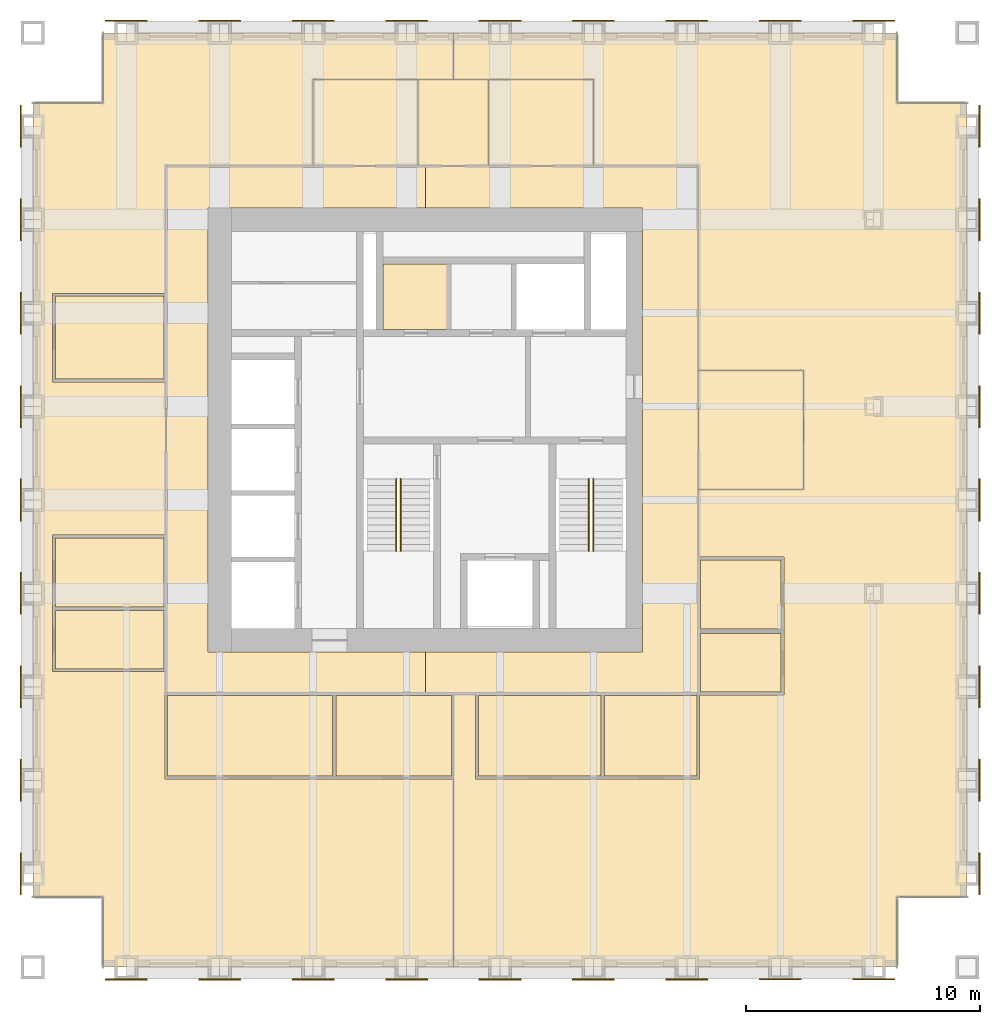
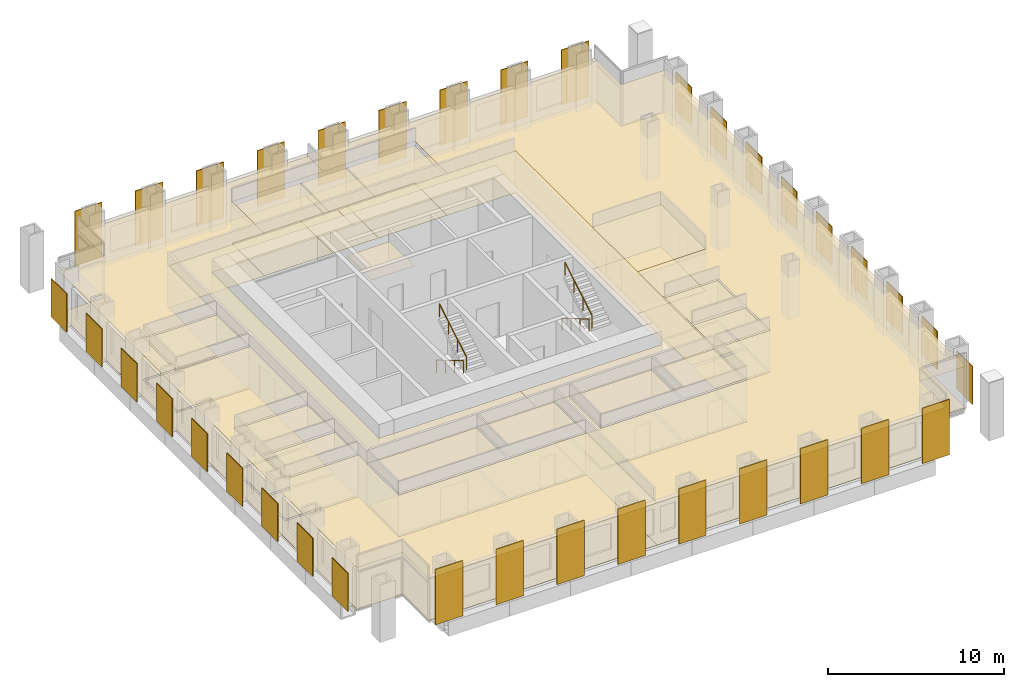
# One storey, part 12 of 12: 36 shading devices, 33 coverings, 4 railings.
"""IFC4 building model written with IfcOpenShell, lengths in metres."""

from ifc_helpers import new_model, si_unit, direction, frame, origin, origin_2d, place, context, subcontext, project, spatial, polyline, rectangle, circle, outline, extrude, material, layer, layer_set, type_object, element, save


model = new_model("IFC4")

# Units and contexts
model_context = context("Model", 3, precision=1e-05, world=origin(), true_north=direction((0.0, 1.0)))
body_context = subcontext(model_context, "Body", "Model", "MODEL_VIEW")
ifc_project = project(units=[si_unit("LENGTHUNIT", "METRE"), si_unit("AREAUNIT", "SQUARE_METRE"), si_unit("VOLUMEUNIT", "CUBIC_METRE"), si_unit("PLANEANGLEUNIT", "RADIAN"), si_unit("MASSUNIT", "GRAM", prefix="KILO")], contexts=[model_context])

# Site, building, storey
site_placement = place(None, origin())
site = spatial("IfcSite", under=ifc_project, at=site_placement, CompositionType="ELEMENT")
building_placement = place(site_placement, origin())
building = spatial("IfcBuilding", under=site, at=building_placement, Name="Rimbunsela Tower", CompositionType="ELEMENT")
storey_placement = place(building_placement, frame((0.0, 0.0, 266.199951171875)))
storey = spatial("IfcBuildingStorey", under=building, at=storey_placement, Name="L64", CompositionType="ELEMENT", Elevation=266.199951171875)

# Coverings
ifc_material_1 = material(Name="Nylon carpet tile", Category="textile")
ifc_layer_1 = layer(ifc_material_1, 0.010009765625)
ifc_layer_set_1 = layer_set([ifc_layer_1], Name="Carpet tile 10")
covering_type_1 = type_object("IfcCoveringType", Name="Carpet tile 10", PredefinedType="FLOORING", material=ifc_layer_set_1)
covering_1_placement = place(storey_placement, origin())
element("IfcCovering", 1, at=covering_1_placement, inside=storey, type_object=covering_type_1, Name="Floor finish Open office", PredefinedType="FLOORING", context=body_context, shape_type="SweptSolid", body=[
    extrude(outline(polyline([(22.949951171875, 12.050048828125), (27.9990234375, 12.050048828125), (27.9990234375, 4.0), (15.699951171875, 4.0), (13.0, 4.0), (13.0, 7.0), (10.0, 7.0), (10.0, 41.0), (13.0, 41.0), (13.0, 44.0), (15.699951171875, 44.0), (27.9990234375, 44.0), (27.9990234375, 42.0), (22.0, 42.0), (22.0, 38.300048828125), (15.699951171875, 38.300048828125), (15.699951171875, 32.85009765625), (10.85009765625, 32.85009765625), (10.85009765625, 29.050048828125), (15.699951171875, 29.050048828125), (15.699951171875, 22.5), (10.85009765625, 22.5), (10.85009765625, 19.39990234375), (10.85009765625, 19.300048828125), (10.85009765625, 16.64990234375), (15.699951171875, 16.64990234375), (15.699951171875, 15.75), (15.64990234375, 15.75), (15.64990234375, 12.050048828125), (15.699951171875, 12.050048828125), (22.85009765625, 12.050048828125), (22.949951171875, 12.050048828125)])), origin(), (0.0, 0.0, 1.0), 0.010009765625),
])
covering_2_placement = place(storey_placement, origin())
element("IfcCovering", 2, at=covering_2_placement, inside=storey, type_object=covering_type_1, Name="Floor finish Open office", PredefinedType="FLOORING", context=body_context, shape_type="SweptSolid", body=[
    extrude(outline(polyline([(28.0009765625, 15.699951171875), (28.948974609375, 15.699951171875), (28.948974609375, 12.050048828125), (34.34912109375, 12.050048828125), (34.448974609375, 12.050048828125), (38.5, 12.050048828125), (38.550048828125, 12.050048828125), (38.550048828125, 15.64990234375), (42.14990234375, 15.64990234375), (42.14990234375, 18.35009765625), (42.14990234375, 18.39990234375), (42.14990234375, 21.550048828125), (38.5, 21.550048828125), (38.5, 24.449951171875), (43.0, 24.449951171875), (43.0, 29.550048828125), (38.5, 29.550048828125), (38.5, 38.300048828125), (34.0, 38.300048828125), (34.0, 42.0), (28.0009765625, 42.0), (28.0009765625, 44.0), (38.5, 44.0), (47.0, 44.0), (47.0, 41.0), (50.0, 41.0), (50.0, 7.0), (47.0, 7.0), (47.0, 4.0), (38.5, 4.0), (28.0009765625, 4.0), (28.0009765625, 15.699951171875)])), origin(), (0.0, 0.0, 1.0), 0.010009765625),
])
covering_3_placement = place(storey_placement, origin())
element("IfcCovering", 3, at=covering_3_placement, inside=storey, type_object=covering_type_1, Name="Floor finish Reception", PredefinedType="FLOORING", context=body_context, shape_type="SweptSolid", body=[
    extrude(outline(polyline([(43.0, 24.449951171875), (43.0, 29.550048828125), (38.5, 29.550048828125), (38.5, 24.449951171875), (43.0, 24.449951171875)])), origin(), (0.0, 0.0, 1.0), 0.010009765625),
])
covering_4_placement = place(storey_placement, origin())
element("IfcCovering", 4, at=covering_4_placement, inside=storey, type_object=covering_type_1, Name="Floor finish Boardroom", PredefinedType="FLOORING", context=body_context, shape_type="SweptSolid", body=[
    extrude(outline(polyline([(22.824951171875, 12.175048828125), (22.824951171875, 15.625), (15.77490234375, 15.625), (15.77490234375, 12.175048828125), (22.824951171875, 12.175048828125)])), origin(), (0.0, 0.0, 1.0), 0.010009765625),
])
covering_5_placement = place(storey_placement, origin())
element("IfcCovering", 5, at=covering_5_placement, inside=storey, type_object=covering_type_1, Name="Floor finish Pantry", PredefinedType="FLOORING", context=body_context, shape_type="SweptSolid", body=[
    extrude(outline(polyline([(27.924072265625, 12.175048828125), (27.924072265625, 15.625), (22.97509765625, 15.625), (22.97509765625, 12.175048828125), (27.924072265625, 12.175048828125)])), origin(), (0.0, 0.0, 1.0), 0.010009765625),
])
covering_6_placement = place(storey_placement, origin())
element("IfcCovering", 6, at=covering_6_placement, inside=storey, type_object=covering_type_1, Name="Floor finish Print and copy room", PredefinedType="FLOORING", context=body_context, shape_type="SweptSolid", body=[
    extrude(outline(polyline([(15.625, 16.77490234375), (15.625, 19.27490234375), (10.97509765625, 19.27490234375), (10.97509765625, 16.77490234375), (15.625, 16.77490234375)])), origin(), (0.0, 0.0, 1.0), 0.010009765625),
])
covering_7_placement = place(storey_placement, origin())
element("IfcCovering", 7, at=covering_7_placement, inside=storey, type_object=covering_type_1, Name="Floor finish Office", PredefinedType="FLOORING", context=body_context, shape_type="SweptSolid", body=[
    extrude(outline(polyline([(15.625, 19.425048828125), (15.625, 22.375), (10.97509765625, 22.375), (10.97509765625, 19.425048828125), (15.625, 19.425048828125)])), origin(), (0.0, 0.0, 1.0), 0.010009765625),
])
covering_8_placement = place(storey_placement, origin())
element("IfcCovering", 8, at=covering_8_placement, inside=storey, type_object=covering_type_1, Name="Floor finish Meeting room", PredefinedType="FLOORING", context=body_context, shape_type="SweptSolid", body=[
    extrude(outline(polyline([(15.625, 29.175048828125), (15.625, 32.72509765625), (10.97509765625, 32.72509765625), (10.97509765625, 29.175048828125), (15.625, 29.175048828125)])), origin(), (0.0, 0.0, 1.0), 0.010009765625),
])
covering_9_placement = place(storey_placement, origin())
element("IfcCovering", 9, at=covering_9_placement, inside=storey, type_object=covering_type_1, Name="Floor finish Meeting room", PredefinedType="FLOORING", context=body_context, shape_type="SweptSolid", body=[
    extrude(outline(polyline([(34.323974609375, 12.175048828125), (34.323974609375, 15.625), (29.073974609375, 15.625), (29.073974609375, 12.175048828125), (34.323974609375, 12.175048828125)])), origin(), (0.0, 0.0, 1.0), 0.010009765625),
])
covering_10_placement = place(storey_placement, origin())
element("IfcCovering", 10, at=covering_10_placement, inside=storey, type_object=covering_type_1, Name="Floor finish Pantry", PredefinedType="FLOORING", context=body_context, shape_type="SweptSolid", body=[
    extrude(outline(polyline([(38.425048828125, 12.175048828125), (38.425048828125, 15.625), (34.47412109375, 15.625), (34.47412109375, 12.175048828125), (38.425048828125, 12.175048828125)])), origin(), (0.0, 0.0, 1.0), 0.010009765625),
])
covering_11_placement = place(storey_placement, origin())
element("IfcCovering", 11, at=covering_11_placement, inside=storey, type_object=covering_type_1, Name="Floor finish Print and copy room", PredefinedType="FLOORING", context=body_context, shape_type="SweptSolid", body=[
    extrude(outline(polyline([(42.02490234375, 15.77490234375), (42.02490234375, 18.27490234375), (38.574951171875, 18.27490234375), (38.574951171875, 15.77490234375), (42.02490234375, 15.77490234375)])), origin(), (0.0, 0.0, 1.0), 0.010009765625),
])
covering_12_placement = place(storey_placement, origin())
element("IfcCovering", 12, at=covering_12_placement, inside=storey, type_object=covering_type_1, Name="Floor finish Office", PredefinedType="FLOORING", context=body_context, shape_type="SweptSolid", body=[
    extrude(outline(polyline([(42.02490234375, 18.47509765625), (42.02490234375, 21.425048828125), (38.574951171875, 21.425048828125), (38.574951171875, 18.47509765625), (42.02490234375, 18.47509765625)])), origin(), (0.0, 0.0, 1.0), 0.010009765625),
])
ifc_material_2 = material(Name="Mineral fibre ceiling tile", Category="gypsum")
ifc_layer_2 = layer(ifc_material_2, 0.02001953125)
ifc_layer_set_2 = layer_set([ifc_layer_2], Name="Ceiling 600 grid")
covering_type_2 = type_object("IfcCoveringType", Name="Ceiling 600 grid", PredefinedType="CEILING", material=ifc_layer_set_2)
covering_13_placement = place(storey_placement, frame((0.0, 0.0, 2.900146484375)))
element("IfcCovering", 13, at=covering_13_placement, inside=storey, type_object=covering_type_2, Name="Ceiling IT room", PredefinedType="CEILING", context=body_context, shape_type="SweptSolid", body=[
    extrude(outline(polyline([(27.800048828125, 31.300048828125), (27.800048828125, 34.10009765625), (25.0, 34.10009765625), (25.0, 31.300048828125), (27.800048828125, 31.300048828125)])), origin(), (0.0, 0.0, 1.0), 0.02001953125),
])
covering_14_placement = place(storey_placement, frame((0.0, 0.0, 2.900146484375)))
element("IfcCovering", 14, at=covering_14_placement, inside=storey, type_object=covering_type_2, Name="Ceiling Ring corridor", PredefinedType="CEILING", context=body_context, shape_type="SweptSolid", body=[
    extrude(outline(polyline([(15.699951171875, 38.300048828125), (26.800048828125, 38.300048828125), (26.800048828125, 36.5), (17.5, 36.5), (17.5, 17.5), (26.800048828125, 17.5), (26.800048828125, 15.699951171875), (15.699951171875, 15.699951171875), (15.699951171875, 38.300048828125)])), origin(), (0.0, 0.0, 1.0), 0.02001953125),
])
covering_15_placement = place(storey_placement, frame((0.0, 0.0, 2.900146484375)))
element("IfcCovering", 15, at=covering_15_placement, inside=storey, type_object=covering_type_2, Name="Ceiling Ring corridor", PredefinedType="CEILING", context=body_context, shape_type="SweptSolid", body=[
    extrude(outline(polyline([(38.5, 38.300048828125), (38.5, 15.699951171875), (26.800048828125, 15.699951171875), (26.800048828125, 17.5), (36.10009765625, 17.5), (36.10009765625, 36.5), (26.800048828125, 36.5), (26.800048828125, 38.300048828125), (38.5, 38.300048828125)])), origin(), (0.0, 0.0, 1.0), 0.02001953125),
])
covering_16_placement = place(storey_placement, frame((0.0, 0.0, 2.900146484375)))
element("IfcCovering", 16, at=covering_16_placement, inside=storey, type_object=covering_type_2, Name="Ceiling Open office", PredefinedType="CEILING", context=body_context, shape_type="SweptSolid", body=[
    extrude(outline(polyline([(22.949951171875, 12.050048828125), (27.9990234375, 12.050048828125), (27.9990234375, 4.0), (15.699951171875, 4.0), (13.0, 4.0), (13.0, 7.0), (10.0, 7.0), (10.0, 41.0), (13.0, 41.0), (13.0, 44.0), (15.699951171875, 44.0), (27.9990234375, 44.0), (27.9990234375, 42.0), (22.0, 42.0), (22.0, 38.300048828125), (15.699951171875, 38.300048828125), (15.699951171875, 32.85009765625), (10.85009765625, 32.85009765625), (10.85009765625, 29.050048828125), (15.699951171875, 29.050048828125), (15.699951171875, 22.5), (10.85009765625, 22.5), (10.85009765625, 19.39990234375), (10.85009765625, 19.300048828125), (10.85009765625, 16.64990234375), (15.699951171875, 16.64990234375), (15.699951171875, 15.75), (15.64990234375, 15.75), (15.64990234375, 12.050048828125), (15.699951171875, 12.050048828125), (22.85009765625, 12.050048828125), (22.949951171875, 12.050048828125)])), origin(), (0.0, 0.0, 1.0), 0.02001953125),
])
covering_17_placement = place(storey_placement, frame((0.0, 0.0, 2.900146484375)))
element("IfcCovering", 17, at=covering_17_placement, inside=storey, type_object=covering_type_2, Name="Ceiling Open office", PredefinedType="CEILING", context=body_context, shape_type="SweptSolid", body=[
    extrude(outline(polyline([(28.0009765625, 15.699951171875), (28.948974609375, 15.699951171875), (28.948974609375, 12.050048828125), (34.34912109375, 12.050048828125), (34.448974609375, 12.050048828125), (38.5, 12.050048828125), (38.550048828125, 12.050048828125), (38.550048828125, 15.64990234375), (42.14990234375, 15.64990234375), (42.14990234375, 18.35009765625), (42.14990234375, 18.39990234375), (42.14990234375, 21.550048828125), (38.5, 21.550048828125), (38.5, 24.449951171875), (43.0, 24.449951171875), (43.0, 29.550048828125), (38.5, 29.550048828125), (38.5, 38.300048828125), (34.0, 38.300048828125), (34.0, 42.0), (28.0009765625, 42.0), (28.0009765625, 44.0), (38.5, 44.0), (47.0, 44.0), (47.0, 41.0), (50.0, 41.0), (50.0, 7.0), (47.0, 7.0), (47.0, 4.0), (38.5, 4.0), (28.0009765625, 4.0), (28.0009765625, 15.699951171875)])), origin(), (0.0, 0.0, 1.0), 0.02001953125),
])
covering_18_placement = place(storey_placement, frame((0.0, 0.0, 2.900146484375)))
element("IfcCovering", 18, at=covering_18_placement, inside=storey, type_object=covering_type_2, Name="Ceiling Reception", PredefinedType="CEILING", context=body_context, shape_type="SweptSolid", body=[
    extrude(outline(polyline([(43.0, 24.449951171875), (43.0, 29.550048828125), (38.5, 29.550048828125), (38.5, 24.449951171875), (43.0, 24.449951171875)])), origin(), (0.0, 0.0, 1.0), 0.02001953125),
])
covering_19_placement = place(storey_placement, frame((0.0, 0.0, 2.900146484375)))
element("IfcCovering", 19, at=covering_19_placement, inside=storey, type_object=covering_type_2, Name="Ceiling Boardroom", PredefinedType="CEILING", context=body_context, shape_type="SweptSolid", body=[
    extrude(outline(polyline([(22.824951171875, 12.175048828125), (22.824951171875, 15.625), (15.77490234375, 15.625), (15.77490234375, 12.175048828125), (22.824951171875, 12.175048828125)])), origin(), (0.0, 0.0, 1.0), 0.02001953125),
])
covering_20_placement = place(storey_placement, frame((0.0, 0.0, 2.900146484375)))
element("IfcCovering", 20, at=covering_20_placement, inside=storey, type_object=covering_type_2, Name="Ceiling Pantry", PredefinedType="CEILING", context=body_context, shape_type="SweptSolid", body=[
    extrude(outline(polyline([(27.924072265625, 12.175048828125), (27.924072265625, 15.625), (22.97509765625, 15.625), (22.97509765625, 12.175048828125), (27.924072265625, 12.175048828125)])), origin(), (0.0, 0.0, 1.0), 0.02001953125),
])
covering_21_placement = place(storey_placement, frame((0.0, 0.0, 2.900146484375)))
element("IfcCovering", 21, at=covering_21_placement, inside=storey, type_object=covering_type_2, Name="Ceiling Print and copy room", PredefinedType="CEILING", context=body_context, shape_type="SweptSolid", body=[
    extrude(outline(polyline([(15.625, 16.77490234375), (15.625, 19.27490234375), (10.97509765625, 19.27490234375), (10.97509765625, 16.77490234375), (15.625, 16.77490234375)])), origin(), (0.0, 0.0, 1.0), 0.02001953125),
])
covering_22_placement = place(storey_placement, frame((0.0, 0.0, 2.900146484375)))
element("IfcCovering", 22, at=covering_22_placement, inside=storey, type_object=covering_type_2, Name="Ceiling Office", PredefinedType="CEILING", context=body_context, shape_type="SweptSolid", body=[
    extrude(outline(polyline([(15.625, 19.425048828125), (15.625, 22.375), (10.97509765625, 22.375), (10.97509765625, 19.425048828125), (15.625, 19.425048828125)])), origin(), (0.0, 0.0, 1.0), 0.02001953125),
])
covering_23_placement = place(storey_placement, frame((0.0, 0.0, 2.900146484375)))
element("IfcCovering", 23, at=covering_23_placement, inside=storey, type_object=covering_type_2, Name="Ceiling Meeting room", PredefinedType="CEILING", context=body_context, shape_type="SweptSolid", body=[
    extrude(outline(polyline([(15.625, 29.175048828125), (15.625, 32.72509765625), (10.97509765625, 32.72509765625), (10.97509765625, 29.175048828125), (15.625, 29.175048828125)])), origin(), (0.0, 0.0, 1.0), 0.02001953125),
])
covering_24_placement = place(storey_placement, frame((0.0, 0.0, 2.900146484375)))
element("IfcCovering", 24, at=covering_24_placement, inside=storey, type_object=covering_type_2, Name="Ceiling Meeting room", PredefinedType="CEILING", context=body_context, shape_type="SweptSolid", body=[
    extrude(outline(polyline([(34.323974609375, 12.175048828125), (34.323974609375, 15.625), (29.073974609375, 15.625), (29.073974609375, 12.175048828125), (34.323974609375, 12.175048828125)])), origin(), (0.0, 0.0, 1.0), 0.02001953125),
])
covering_25_placement = place(storey_placement, frame((0.0, 0.0, 2.900146484375)))
element("IfcCovering", 25, at=covering_25_placement, inside=storey, type_object=covering_type_2, Name="Ceiling Pantry", PredefinedType="CEILING", context=body_context, shape_type="SweptSolid", body=[
    extrude(outline(polyline([(38.425048828125, 12.175048828125), (38.425048828125, 15.625), (34.47412109375, 15.625), (34.47412109375, 12.175048828125), (38.425048828125, 12.175048828125)])), origin(), (0.0, 0.0, 1.0), 0.02001953125),
])
covering_26_placement = place(storey_placement, frame((0.0, 0.0, 2.900146484375)))
element("IfcCovering", 26, at=covering_26_placement, inside=storey, type_object=covering_type_2, Name="Ceiling Print and copy room", PredefinedType="CEILING", context=body_context, shape_type="SweptSolid", body=[
    extrude(outline(polyline([(42.02490234375, 15.77490234375), (42.02490234375, 18.27490234375), (38.574951171875, 18.27490234375), (38.574951171875, 15.77490234375), (42.02490234375, 15.77490234375)])), origin(), (0.0, 0.0, 1.0), 0.02001953125),
])
covering_27_placement = place(storey_placement, frame((0.0, 0.0, 2.900146484375)))
element("IfcCovering", 27, at=covering_27_placement, inside=storey, type_object=covering_type_2, Name="Ceiling Office", PredefinedType="CEILING", context=body_context, shape_type="SweptSolid", body=[
    extrude(outline(polyline([(42.02490234375, 18.47509765625), (42.02490234375, 21.425048828125), (38.574951171875, 21.425048828125), (38.574951171875, 18.47509765625), (42.02490234375, 18.47509765625)])), origin(), (0.0, 0.0, 1.0), 0.02001953125),
])
ifc_material_3 = material(Name="Moisture-resistant plasterboard ceiling", Category="gypsum")
ifc_layer_3 = layer(ifc_material_3, 0.012451171875)
ifc_layer_set_3 = layer_set([ifc_layer_3], Name="Ceiling moisture-resistant board")
covering_type_3 = type_object("IfcCoveringType", Name="Ceiling moisture-resistant board", PredefinedType="CEILING", material=ifc_layer_set_3)
covering_28_placement = place(storey_placement, frame((0.0, 0.0, 2.60009765625)))
element("IfcCovering", 28, at=covering_28_placement, inside=storey, type_object=covering_type_3, Name="Ceiling Female WC", PredefinedType="CEILING", context=body_context, shape_type="SweptSolid", body=[
    extrude(outline(polyline([(26.5, 38.300048828125), (26.5, 42.0), (22.0, 42.0), (22.0, 38.300048828125), (26.5, 38.300048828125)])), origin(), (0.0, 0.0, 1.0), 0.02001953125),
])
covering_29_placement = place(storey_placement, frame((0.0, 0.0, 2.60009765625)))
element("IfcCovering", 29, at=covering_29_placement, inside=storey, type_object=covering_type_3, Name="Ceiling Accessible WC", PredefinedType="CEILING", context=body_context, shape_type="SweptSolid", body=[
    extrude(outline(polyline([(29.5, 38.300048828125), (29.5, 42.0), (26.5, 42.0), (26.5, 38.300048828125), (29.5, 38.300048828125)])), origin(), (0.0, 0.0, 1.0), 0.02001953125),
])
covering_30_placement = place(storey_placement, frame((0.0, 0.0, 2.60009765625)))
element("IfcCovering", 30, at=covering_30_placement, inside=storey, type_object=covering_type_3, Name="Ceiling Male WC", PredefinedType="CEILING", context=body_context, shape_type="SweptSolid", body=[
    extrude(outline(polyline([(34.0, 38.300048828125), (34.0, 42.0), (29.5, 42.0), (29.5, 38.300048828125), (34.0, 38.300048828125)])), origin(), (0.0, 0.0, 1.0), 0.02001953125),
])
ifc_material_4 = material(Name="Porcelain floor tile in adhesive bed", Category="ceramic")
ifc_layer_4 = layer(ifc_material_4, 0.02001953125)
ifc_layer_set_4 = layer_set([ifc_layer_4], Name="Porcelain tile 20")
covering_type_4 = type_object("IfcCoveringType", Name="Porcelain tile 20", PredefinedType="FLOORING", material=ifc_layer_set_4)
covering_31_placement = place(storey_placement, origin())
element("IfcCovering", 31, at=covering_31_placement, inside=storey, type_object=covering_type_4, Name="Floor finish Female WC", PredefinedType="FLOORING", context=body_context, shape_type="SweptSolid", body=[
    extrude(outline(polyline([(26.5, 38.300048828125), (26.5, 42.0), (22.0, 42.0), (22.0, 38.300048828125), (26.5, 38.300048828125)])), origin(), (0.0, 0.0, 1.0), 0.02001953125),
])
covering_32_placement = place(storey_placement, origin())
element("IfcCovering", 32, at=covering_32_placement, inside=storey, type_object=covering_type_4, Name="Floor finish Accessible WC", PredefinedType="FLOORING", context=body_context, shape_type="SweptSolid", body=[
    extrude(outline(polyline([(29.5, 38.300048828125), (29.5, 42.0), (26.5, 42.0), (26.5, 38.300048828125), (29.5, 38.300048828125)])), origin(), (0.0, 0.0, 1.0), 0.02001953125),
])
covering_33_placement = place(storey_placement, origin())
element("IfcCovering", 33, at=covering_33_placement, inside=storey, type_object=covering_type_4, Name="Floor finish Male WC", PredefinedType="FLOORING", context=body_context, shape_type="SweptSolid", body=[
    extrude(outline(polyline([(34.0, 38.300048828125), (34.0, 42.0), (29.5, 42.0), (29.5, 38.300048828125), (34.0, 38.300048828125)])), origin(), (0.0, 0.0, 1.0), 0.02001953125),
])

# Shading devices
ifc_material_5 = material(Name="Perforated aluminium, 35 % open area", Category="aluminium")
ifc_layer_5 = layer(ifc_material_5, 0.050048828125)
ifc_layer_set_5 = layer_set([ifc_layer_5], Name="Solar screen panel 1800")
shading_device_type = type_object("IfcShadingDeviceType", Name="Solar screen panel 1800", PredefinedType="USERDEFINED", material=ifc_layer_set_5)
for number, where, z_axis, x_axis, name in (
    (34, (14.0, 3.47509765625, 0.0), (0.0, 0.0, 1.0), (1.0, 0.0, 0.0), "Solar screen S L64"),
    (35, (18.0, 3.47509765625, 0.0), (0.0, 0.0, 1.0), (1.0, 0.0, 0.0), "Solar screen S L64"),
    (36, (22.0, 3.47509765625, 0.0), (0.0, 0.0, 1.0), (1.0, 0.0, 0.0), "Solar screen S L64"),
    (37, (26.0, 3.47509765625, 0.0), (0.0, 0.0, 1.0), (1.0, 0.0, 0.0), "Solar screen S L64"),
    (38, (30.0, 3.47509765625, 0.0), (0.0, 0.0, 1.0), (1.0, 0.0, 0.0), "Solar screen S L64"),
    (39, (34.0, 3.47509765625, 0.0), (0.0, 0.0, 1.0), (1.0, 0.0, 0.0), "Solar screen S L64"),
    (40, (38.0, 3.47509765625, 0.0), (0.0, 0.0, 1.0), (1.0, 0.0, 0.0), "Solar screen S L64"),
    (41, (42.0, 3.47509765625, 0.0), (0.0, 0.0, 1.0), (1.0, 0.0, 0.0), "Solar screen S L64"),
    (42, (46.0, 3.47509765625, 0.0), (0.0, 0.0, 1.0), (1.0, 0.0, 0.0), "Solar screen S L64"),
):
    element("IfcShadingDevice", number, at=place(storey_placement, frame(where, z_axis=z_axis, x_axis=x_axis)), inside=storey, type_object=shading_device_type, Name=name, ObjectType="SCREEN", PredefinedType="USERDEFINED", context=body_context, shape_type="SweptSolid", body=[
        extrude(rectangle(XDim=1.800048828125, YDim=0.050048828125, at=origin_2d()), origin(), (0.0, 0.0, 1.0), 3.85009765625),
    ])
for number, where, z_axis, x_axis, name in (
    (43, (50.52490234375, 8.0, 0.0), (0.0, 0.0, 1.0), (0.0, 1.0, 0.0), "Solar screen E L64"),
    (44, (50.52490234375, 12.0, 0.0), (0.0, 0.0, 1.0), (0.0, 1.0, 0.0), "Solar screen E L64"),
    (45, (50.52490234375, 16.0, 0.0), (0.0, 0.0, 1.0), (0.0, 1.0, 0.0), "Solar screen E L64"),
    (46, (50.52490234375, 20.0, 0.0), (0.0, 0.0, 1.0), (0.0, 1.0, 0.0), "Solar screen E L64"),
    (47, (50.52490234375, 24.0, 0.0), (0.0, 0.0, 1.0), (0.0, 1.0, 0.0), "Solar screen E L64"),
    (48, (50.52490234375, 28.0, 0.0), (0.0, 0.0, 1.0), (0.0, 1.0, 0.0), "Solar screen E L64"),
    (49, (50.52490234375, 32.0, 0.0), (0.0, 0.0, 1.0), (0.0, 1.0, 0.0), "Solar screen E L64"),
    (50, (50.52490234375, 36.0, 0.0), (0.0, 0.0, 1.0), (0.0, 1.0, 0.0), "Solar screen E L64"),
    (51, (50.52490234375, 40.0, 0.0), (0.0, 0.0, 1.0), (0.0, 1.0, 0.0), "Solar screen E L64"),
):
    element("IfcShadingDevice", number, at=place(storey_placement, frame(where, z_axis=z_axis, x_axis=x_axis)), inside=storey, type_object=shading_device_type, Name=name, ObjectType="SCREEN", PredefinedType="USERDEFINED", context=body_context, shape_type="SweptSolid", body=[
        extrude(rectangle(XDim=1.800048828125, YDim=0.050048828125, at=origin_2d()), origin(), (0.0, 0.0, 1.0), 2.64990234375),
    ])
for number, where, z_axis, x_axis, name in (
    (52, (14.0, 44.52490234375, 0.0), (0.0, 0.0, 1.0), (1.0, 0.0, 0.0), "Solar screen N L64"),
    (53, (18.0, 44.52490234375, 0.0), (0.0, 0.0, 1.0), (1.0, 0.0, 0.0), "Solar screen N L64"),
    (54, (22.0, 44.52490234375, 0.0), (0.0, 0.0, 1.0), (1.0, 0.0, 0.0), "Solar screen N L64"),
    (55, (26.0, 44.52490234375, 0.0), (0.0, 0.0, 1.0), (1.0, 0.0, 0.0), "Solar screen N L64"),
    (56, (30.0, 44.52490234375, 0.0), (0.0, 0.0, 1.0), (1.0, 0.0, 0.0), "Solar screen N L64"),
    (57, (34.0, 44.52490234375, 0.0), (0.0, 0.0, 1.0), (1.0, 0.0, 0.0), "Solar screen N L64"),
    (58, (38.0, 44.52490234375, 0.0), (0.0, 0.0, 1.0), (1.0, 0.0, 0.0), "Solar screen N L64"),
    (59, (42.0, 44.52490234375, 0.0), (0.0, 0.0, 1.0), (1.0, 0.0, 0.0), "Solar screen N L64"),
    (60, (46.0, 44.52490234375, 0.0), (0.0, 0.0, 1.0), (1.0, 0.0, 0.0), "Solar screen N L64"),
):
    element("IfcShadingDevice", number, at=place(storey_placement, frame(where, z_axis=z_axis, x_axis=x_axis)), inside=storey, type_object=shading_device_type, Name=name, ObjectType="SCREEN", PredefinedType="USERDEFINED", context=body_context, shape_type="SweptSolid", body=[
        extrude(rectangle(XDim=1.800048828125, YDim=0.050048828125, at=origin_2d()), origin(), (0.0, 0.0, 1.0), 3.85009765625),
    ])
for number, where, z_axis, x_axis, name in (
    (61, (9.47509765625, 8.0, 0.0), (0.0, 0.0, 1.0), (0.0, 1.0, 0.0), "Solar screen W L64"),
    (62, (9.47509765625, 12.0, 0.0), (0.0, 0.0, 1.0), (0.0, 1.0, 0.0), "Solar screen W L64"),
    (63, (9.47509765625, 16.0, 0.0), (0.0, 0.0, 1.0), (0.0, 1.0, 0.0), "Solar screen W L64"),
    (64, (9.47509765625, 20.0, 0.0), (0.0, 0.0, 1.0), (0.0, 1.0, 0.0), "Solar screen W L64"),
    (65, (9.47509765625, 24.0, 0.0), (0.0, 0.0, 1.0), (0.0, 1.0, 0.0), "Solar screen W L64"),
    (66, (9.47509765625, 28.0, 0.0), (0.0, 0.0, 1.0), (0.0, 1.0, 0.0), "Solar screen W L64"),
    (67, (9.47509765625, 32.0, 0.0), (0.0, 0.0, 1.0), (0.0, 1.0, 0.0), "Solar screen W L64"),
    (68, (9.47509765625, 36.0, 0.0), (0.0, 0.0, 1.0), (0.0, 1.0, 0.0), "Solar screen W L64"),
    (69, (9.47509765625, 40.0, 0.0), (0.0, 0.0, 1.0), (0.0, 1.0, 0.0), "Solar screen W L64"),
):
    element("IfcShadingDevice", number, at=place(storey_placement, frame(where, z_axis=z_axis, x_axis=x_axis)), inside=storey, type_object=shading_device_type, Name=name, ObjectType="SCREEN", PredefinedType="USERDEFINED", context=body_context, shape_type="SweptSolid", body=[
        extrude(rectangle(XDim=1.800048828125, YDim=0.050048828125, at=origin_2d()), origin(), (0.0, 0.0, 1.0), 2.64990234375),
    ])

# Railings
ifc_material_6 = material(Name="Stainless steel tube", Category="steel")
railing_type = type_object("IfcRailingType", Name="Stair handrail 900", PredefinedType="HANDRAIL", material=ifc_material_6)
railing_1_placement = place(storey_placement, frame((25.550048828125, 24.89990234375, 0.166748046875)))
element("IfcRailing", 70, at=railing_1_placement, inside=storey, type_object=railing_type, Name="Handrail ST-A flight 1", PredefinedType="HANDRAIL", context=body_context, shape_type="SweptSolid", body=[
    extrude(circle(Radius=0.02392578125, at=origin_2d()), frame((0.0, 0.0, 0.8759765625), z_axis=(0.0, -0.859290745958, 0.51148745235), x_axis=(1.0, 0.0, 0.0)), (0.0, 0.0, 1.0), 3.584228515625),
    extrude(circle(Radius=0.02099609375, at=origin_2d()), origin(), (0.0, 0.0, 1.0), 0.851806640625),
    extrude(circle(Radius=0.02099609375, at=origin_2d()), frame((0.0, -1.026611328125, 0.611083984375)), (0.0, 0.0, 1.0), 0.851806640625),
    extrude(circle(Radius=0.02099609375, at=origin_2d()), frame((0.0, -2.05322265625, 1.22216796875)), (0.0, 0.0, 1.0), 0.851806640625),
    extrude(circle(Radius=0.02099609375, at=origin_2d()), frame((0.0, -3.079833984375, 1.833251953125)), (0.0, 0.0, 1.0), 0.851806640625),
])
railing_2_placement = place(storey_placement, frame((25.75, 21.820068359375, 2.166748046875)))
element("IfcRailing", 71, at=railing_2_placement, inside=storey, type_object=railing_type, Name="Handrail ST-A flight 2", PredefinedType="HANDRAIL", context=body_context, shape_type="SweptSolid", body=[
    extrude(circle(Radius=0.02392578125, at=origin_2d()), frame((0.0, 0.0, 0.8759765625), z_axis=(0.0, 0.859290745958, 0.51148745235), x_axis=(-1.0, 0.0, 0.0)), (0.0, 0.0, 1.0), 3.584228515625),
    extrude(circle(Radius=0.02099609375, at=origin_2d()), origin(), (0.0, 0.0, 1.0), 0.851806640625),
    extrude(circle(Radius=0.02099609375, at=origin_2d()), frame((0.0, 1.026611328125, 0.611083984375)), (0.0, 0.0, 1.0), 0.851806640625),
    extrude(circle(Radius=0.02099609375, at=origin_2d()), frame((0.0, 2.05322265625, 1.22216796875)), (0.0, 0.0, 1.0), 0.851806640625),
    extrude(circle(Radius=0.02099609375, at=origin_2d()), frame((0.0, 3.079833984375, 1.833251953125)), (0.0, 0.0, 1.0), 0.851806640625),
])
railing_3_placement = place(storey_placement, frame((33.800048828125, 24.89990234375, 0.166748046875)))
element("IfcRailing", 72, at=railing_3_placement, inside=storey, type_object=railing_type, Name="Handrail ST-B flight 1", PredefinedType="HANDRAIL", context=body_context, shape_type="SweptSolid", body=[
    extrude(circle(Radius=0.02392578125, at=origin_2d()), frame((0.0, 0.0, 0.8759765625), z_axis=(0.0, -0.859290745958, 0.51148745235), x_axis=(1.0, 0.0, 0.0)), (0.0, 0.0, 1.0), 3.584228515625),
    extrude(circle(Radius=0.02099609375, at=origin_2d()), origin(), (0.0, 0.0, 1.0), 0.851806640625),
    extrude(circle(Radius=0.02099609375, at=origin_2d()), frame((0.0, -1.026611328125, 0.611083984375)), (0.0, 0.0, 1.0), 0.851806640625),
    extrude(circle(Radius=0.02099609375, at=origin_2d()), frame((0.0, -2.05322265625, 1.22216796875)), (0.0, 0.0, 1.0), 0.851806640625),
    extrude(circle(Radius=0.02099609375, at=origin_2d()), frame((0.0, -3.079833984375, 1.833251953125)), (0.0, 0.0, 1.0), 0.851806640625),
])
railing_4_placement = place(storey_placement, frame((34.0, 21.820068359375, 2.166748046875)))
element("IfcRailing", 73, at=railing_4_placement, inside=storey, type_object=railing_type, Name="Handrail ST-B flight 2", PredefinedType="HANDRAIL", context=body_context, shape_type="SweptSolid", body=[
    extrude(circle(Radius=0.02392578125, at=origin_2d()), frame((0.0, 0.0, 0.8759765625), z_axis=(0.0, 0.859290745958, 0.51148745235), x_axis=(-1.0, 0.0, 0.0)), (0.0, 0.0, 1.0), 3.584228515625),
    extrude(circle(Radius=0.02099609375, at=origin_2d()), origin(), (0.0, 0.0, 1.0), 0.851806640625),
    extrude(circle(Radius=0.02099609375, at=origin_2d()), frame((0.0, 1.026611328125, 0.611083984375)), (0.0, 0.0, 1.0), 0.851806640625),
    extrude(circle(Radius=0.02099609375, at=origin_2d()), frame((0.0, 2.05322265625, 1.22216796875)), (0.0, 0.0, 1.0), 0.851806640625),
    extrude(circle(Radius=0.02099609375, at=origin_2d()), frame((0.0, 3.079833984375, 1.833251953125)), (0.0, 0.0, 1.0), 0.851806640625),
])

save(model, "model.ifc")
